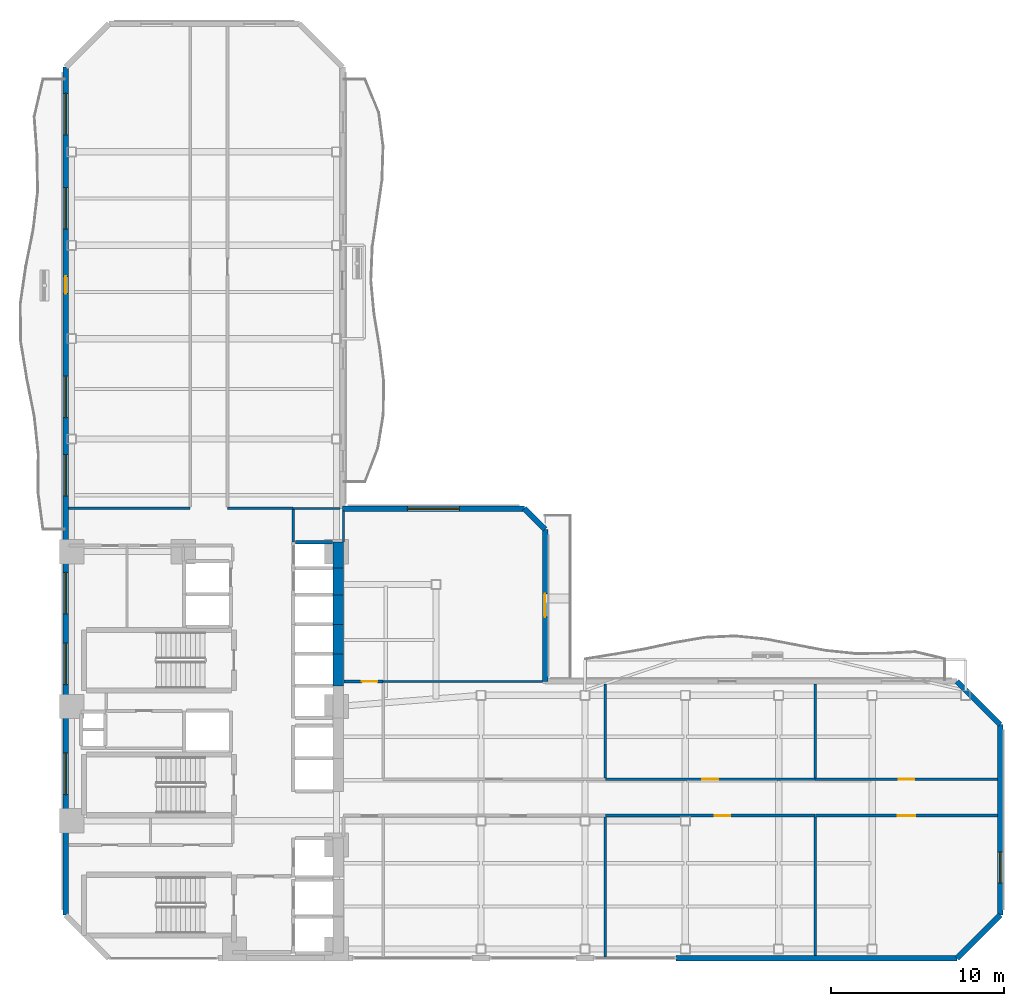
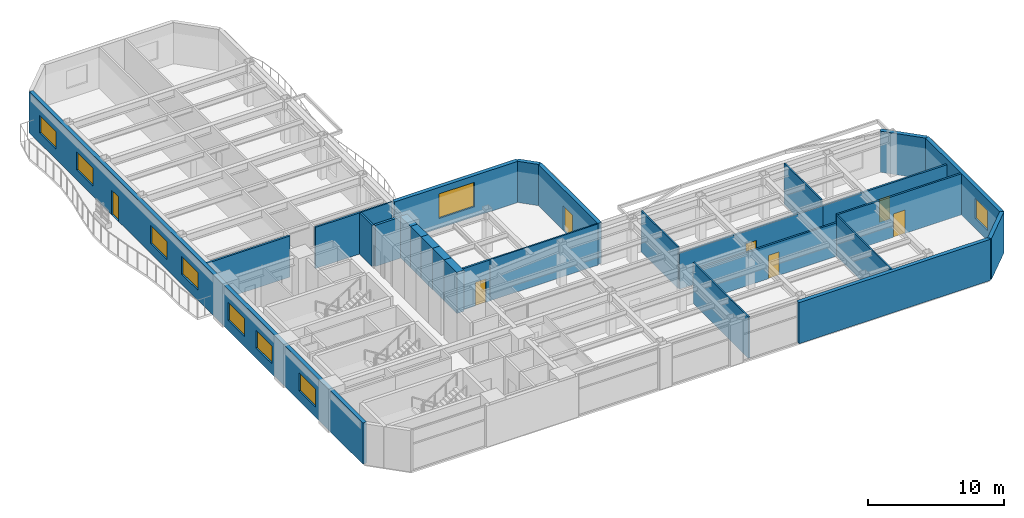
# One storey, part 11 of 17: 29 walls, 9 windows, 7 doors, 16 openings.
"""IFC4 building model written with IfcOpenShell, lengths in metres."""

import ifcopenshell
import ifcopenshell.guid

model = None  # the IFC model being written
_history = None  # IfcOwnerHistory: only IFC2X3 demands one
_inside = {}  # id of a spatial element -> (the spatial element, [elements in it])
_under = {}  # id of a project, library or spatial element -> (it, [spatial elements below it])
_declared = {}  # id of a project -> (the project, [libraries it declares])
_typed = {}  # id of a type object -> (the type object, [elements of that type])
_made_of = {}  # id of a material, layer set ... -> (it, [elements and type objects made of it])


def new_model(schema):
    """Start an empty IFC model of exactly this schema.

    Asked for "IFC4X3", IfcOpenShell would pick the latest addendum, in which some entities
    have other attributes; the version numbers below select the first issue.
    IFC2X3 requires an IfcOwnerHistory on every rooted entity: one is made here for all.
    """
    global model, _history
    if schema == "IFC4X3":
        model = ifcopenshell.file(schema_version=(4, 3, 0, 0))
    else:
        model = ifcopenshell.file(schema=schema)
    _inside.clear()
    _under.clear()
    _declared.clear()
    _typed.clear()
    _made_of.clear()
    _history = None
    if model.schema == "IFC2X3":
        org = make("IfcOrganization", Name="unknown")
        user = make(
            "IfcPersonAndOrganization",
            ThePerson=make("IfcPerson", FamilyName="unknown"),
            TheOrganization=org,
        )
        app = make(
            "IfcApplication",
            ApplicationDeveloper=org,
            Version="unknown",
            ApplicationFullName="unknown",
            ApplicationIdentifier="unknown",
        )
        _history = make(
            "IfcOwnerHistory",
            OwningUser=user,
            OwningApplication=app,
            ChangeAction="ADDED",
            CreationDate=0,
        )
    return model


def make(cls, **values):
    """One entity of the class cls with the attributes given. An attribute that is None is left unset."""
    return model.create_entity(
        cls, **{name: value for name, value in values.items() if value is not None}
    )


def rooted(cls, **values):
    """An entity with a GlobalId (a new one), such as an element, a storey or a relation."""
    return make(cls, GlobalId=ifcopenshell.guid.new(), OwnerHistory=_history, **values)


def si_unit(unit_type, name, prefix=None):
    """IfcSIUnit, for example si_unit("LENGTHUNIT", "METRE", prefix="MILLI")."""
    return make("IfcSIUnit", UnitType=unit_type, Prefix=prefix, Name=name)


def assignment(units):
    """IfcUnitAssignment: the units of a project."""
    return None if units is None else make("IfcUnitAssignment", Units=units)


def point(xyz):
    """IfcCartesianPoint."""
    return None if xyz is None else make("IfcCartesianPoint", Coordinates=xyz)


def direction(xyz):
    """IfcDirection."""
    return None if xyz is None else make("IfcDirection", DirectionRatios=xyz)


def frame(location, z_axis=None, x_axis=None):
    """IfcAxis2Placement3D, a coordinate frame: its origin and axes. An axis left out is left unset."""
    return make(
        "IfcAxis2Placement3D",
        Location=point(location),
        Axis=direction(z_axis),
        RefDirection=direction(x_axis),
    )


def frame_2d(location, x_axis=None):
    """IfcAxis2Placement2D, a coordinate frame in the plane: its origin and x axis."""
    return make(
        "IfcAxis2Placement2D", Location=point(location), RefDirection=direction(x_axis)
    )


def origin():
    """The frame at (0, 0, 0) with its axes left unset."""
    return frame((0.0, 0.0, 0.0))


def place(relative_to, where):
    """IfcLocalPlacement: puts the frame where relative to a parent placement (None: the world)."""
    return make(
        "IfcLocalPlacement", PlacementRelTo=relative_to, RelativePlacement=where
    )


def context(
    kind, dimensions, precision=None, world=None, true_north=None, identifier=None
):
    """IfcGeometricRepresentationContext, for example the 3D "Model" context."""
    return make(
        "IfcGeometricRepresentationContext",
        ContextIdentifier=identifier,
        ContextType=kind,
        CoordinateSpaceDimension=dimensions,
        Precision=precision,
        WorldCoordinateSystem=world,
        TrueNorth=true_north,
    )


def subcontext(parent, identifier, kind, view, scale=None):
    """IfcGeometricRepresentationSubContext, for example "Body" below "Model"."""
    return make(
        "IfcGeometricRepresentationSubContext",
        ContextIdentifier=identifier,
        ContextType=kind,
        ParentContext=parent,
        TargetScale=scale,
        TargetView=view,
    )


def project(units=None, contexts=None):
    """IfcProject with its units and contexts."""
    return rooted(
        "IfcProject",
        Name="project",
        RepresentationContexts=contexts,
        UnitsInContext=assignment(units),
    )


def spatial(cls, under=None, at=None, **own):
    """A site, building, storey or space (cls), placed at a placement, below another one or the project."""
    s = rooted(cls, ObjectPlacement=at, **own)
    if under is not None:
        _under.setdefault(under.id(), (under, []))[1].append(s)
    return s


def profile(cls, at=None, kind="AREA", **sizes):
    """A parametric profile (cls). Its sizes go by their IFC names, for example OverallWidth=200.0."""
    return make(cls, ProfileType=kind, Position=at, **sizes)


def rectangle(**sizes):
    """IfcRectangleProfileDef."""
    return profile("IfcRectangleProfileDef", **sizes)


def extrude(swept, where, along, depth):
    """IfcExtrudedAreaSolid: the profile swept, set in the frame where, extruded along a direction by depth."""
    return make(
        "IfcExtrudedAreaSolid",
        SweptArea=swept,
        Position=where,
        ExtrudedDirection=direction(along),
        Depth=depth,
    )


def shape(context_of_items, identifier, shape_type, items):
    """IfcShapeRepresentation: the items that make up one representation, for example the "Body"."""
    return make(
        "IfcShapeRepresentation",
        ContextOfItems=context_of_items,
        RepresentationIdentifier=identifier,
        RepresentationType=shape_type,
        Items=items,
    )


def material(Name=None, Category=None):
    """IfcMaterial."""
    return make("IfcMaterial", Name=Name, Category=Category)


def layer(
    of_material, thickness, ventilated=None, Name=None, Category=None, Priority=None
):
    """IfcMaterialLayer: one layer of a wall or slab, of a material (None: an air gap)."""
    return make(
        "IfcMaterialLayer",
        Material=of_material,
        LayerThickness=thickness,
        IsVentilated=ventilated,
        Name=Name,
        Category=Category,
        Priority=Priority,
    )


def layer_set(layers, Name=None):
    """IfcMaterialLayerSet."""
    return make("IfcMaterialLayerSet", MaterialLayers=layers, LayerSetName=Name)


def made_of(thing, what):
    """Note that an element or type object is made of a material, layer set ...; save() writes the relation."""
    if what is not None:
        _made_of.setdefault(what.id(), (what, []))[1].append(thing)
    return thing


def type_object(cls, material=None, **own):
    """A type object (cls), such as IfcWallType, which elements share."""
    return made_of(rooted(cls, **own), material)


def element(
    cls,
    number,
    at=None,
    inside=None,
    cuts=None,
    type_object=None,
    material=None,
    context=None,
    identifier="Body",
    shape_type=None,
    held_by="IfcProductDefinitionShape",
    body=None,
    shapes=None,
    **own,
):
    """One element of the class cls, such as IfcWall. Its Tag is "e" and its number.

    at: its placement. inside: the storey or other place that contains it. cuts: it is an
    opening in that element (IfcRelVoidsElement). A single representation is given by context,
    identifier, shape_type and body (its items); several are given by shapes. held_by: the class
    of the entity that holds the representations. save() writes the other relations.
    """
    e = rooted(cls, Tag="e%d" % number, ObjectPlacement=at, **own)
    if body is not None:
        shapes = [shape(context, identifier, shape_type, body)]
    if shapes is not None:
        e.Representation = make(held_by, Representations=shapes)
    if inside is not None:
        _inside.setdefault(inside.id(), (inside, []))[1].append(e)
    if cuts is not None:
        rooted(
            "IfcRelVoidsElement", RelatingBuildingElement=cuts, RelatedOpeningElement=e
        )
    if type_object is not None:
        _typed.setdefault(type_object.id(), (type_object, []))[1].append(e)
    return made_of(e, material)


def fill(opening, filler):
    """IfcRelFillsElement: the door or window that sits in an opening."""
    return rooted(
        "IfcRelFillsElement",
        RelatingOpeningElement=opening,
        RelatedBuildingElement=filler,
    )


def aggregate(whole, parts):
    """IfcRelAggregates: a whole, such as a stair, and the parts it consists of."""
    return rooted("IfcRelAggregates", RelatingObject=whole, RelatedObjects=parts)


def save(model, path):
    """Write the relations noted so far, then the file.

    IfcRelAggregates (storeys below a building ...), IfcRelContainedInSpatialStructure (elements
    in a storey), IfcRelDefinesByType, IfcRelAssociatesMaterial and IfcRelDeclares: one each for
    every whole, place, type object, material and project.
    """
    for whole, parts in _under.values():
        aggregate(whole, parts)
    for where, things in _inside.values():
        rooted(
            "IfcRelContainedInSpatialStructure",
            RelatedElements=things,
            RelatingStructure=where,
        )
    for kind, things in _typed.values():
        rooted("IfcRelDefinesByType", RelatedObjects=things, RelatingType=kind)
    for what, things in _made_of.values():
        rooted("IfcRelAssociatesMaterial", RelatedObjects=things, RelatingMaterial=what)
    for by, libraries in _declared.values():
        rooted("IfcRelDeclares", RelatingContext=by, RelatedDefinitions=libraries)
    model.write(path)


model = new_model("IFC4")

# Units and contexts
model_context = context("Model", 3, precision=1e-05, world=origin(), true_north=direction((0.0, 1.0)))
body_context = subcontext(model_context, "Body", "Model", "MODEL_VIEW")
ifc_project = project(units=[si_unit("LENGTHUNIT", "METRE"), si_unit("AREAUNIT", "SQUARE_METRE"), si_unit("VOLUMEUNIT", "CUBIC_METRE"), si_unit("PLANEANGLEUNIT", "RADIAN"), si_unit("MASSUNIT", "GRAM", prefix="KILO")], contexts=[model_context])

# Site, building, storey
site_placement = place(None, origin())
site = spatial("IfcSite", under=ifc_project, at=site_placement, CompositionType="ELEMENT")
building_placement = place(site_placement, origin())
building = spatial("IfcBuilding", under=site, at=building_placement, Name="Mawjaban Terraces University", CompositionType="ELEMENT")
storey_placement = place(building_placement, frame((0.0, 0.0, 70.0)))
storey = spatial("IfcBuildingStorey", under=building, at=storey_placement, Name="L16", CompositionType="ELEMENT", Elevation=70.0)

# Walls
ifc_material_1 = material(Name="Concrete C70/85", Category="concrete")
ifc_layer_1 = layer(ifc_material_1, 0.60009765625)
ifc_layer_set_1 = layer_set([ifc_layer_1], Name="Concrete C70/85")
wall_type_1 = type_object("IfcWallType", Name="CoreShearWall_600", PredefinedType="SHEAR", material=ifc_layer_set_1)
wall_1_placement = place(storey_placement, frame((37.75, 15.75, 0.0), z_axis=(0.0, 0.0, 1.0), x_axis=(0.0, 1.0, 0.0)))
element("IfcWall", 1, at=wall_1_placement, inside=storey, type_object=wall_type_1, Name="L16 Lift OL-2 Hoistway Wall East", PredefinedType="SHEAR", context=body_context, shape_type="SweptSolid", body=[
    extrude(rectangle(XDim=1.85009765625, YDim=0.60009765625, at=frame_2d((0.925048828125, 0.0))), origin(), (0.0, 0.0, 1.0), 3.68994140625),
])
for number, where, z_axis, x_axis, name in (
    (2, (37.75, 17.60009765625, 0.0), (0.0, 0.0, 1.0), (0.0, 1.0, 0.0), "L16 Lift PL-M1 Hoistway Wall East"),
    (3, (37.75, 19.300048828125, 0.0), (0.0, 0.0, 1.0), (0.0, 1.0, 0.0), "L16 Lift PL-M2 Hoistway Wall East"),
):
    element("IfcWall", number, at=place(storey_placement, frame(where, z_axis=z_axis, x_axis=x_axis)), inside=storey, type_object=wall_type_1, Name=name, PredefinedType="SHEAR", context=body_context, shape_type="SweptSolid", body=[
        extrude(rectangle(XDim=1.699951171875, YDim=0.60009765625, at=frame_2d((0.85009765625, 0.0))), origin(), (0.0, 0.0, 1.0), 3.68994140625),
    ])
wall_2_placement = place(storey_placement, frame((37.75, 21.0, 0.0), z_axis=(0.0, 0.0, 1.0), x_axis=(0.0, 1.0, 0.0)))
element("IfcWall", 4, at=wall_2_placement, inside=storey, type_object=wall_type_1, Name="L16 Lift PL-L1 Hoistway Wall East", PredefinedType="SHEAR", context=body_context, shape_type="SweptSolid", body=[
    extrude(rectangle(XDim=1.550048828125, YDim=0.60009765625, at=frame_2d((0.77490234375, 0.0))), origin(), (0.0, 0.0, 1.0), 3.68994140625),
])
wall_3_placement = place(storey_placement, frame((37.75, 22.550048828125, 0.0), z_axis=(0.0, 0.0, 1.0), x_axis=(0.0, 1.0, 0.0)))
element("IfcWall", 5, at=wall_3_placement, inside=storey, type_object=wall_type_1, Name="L16 Lift PL-L2 Hoistway Wall East", PredefinedType="SHEAR", context=body_context, shape_type="SweptSolid", body=[
    extrude(rectangle(XDim=1.5, YDim=0.60009765625, at=frame_2d((0.75, 0.0))), origin(), (0.0, 0.0, 1.0), 3.68994140625),
])
ifc_material_2 = material(Name="Fire-rated gypsum board on steel stud", Category="steel")
ifc_layer_2 = layer(ifc_material_2, 0.159912109375)
ifc_layer_set_2 = layer_set([ifc_layer_2], Name="Fire-rated gypsum board on steel stud")
wall_type_2 = type_object("IfcWallType", Name="CorridorPartition_160", PredefinedType="PARTITIONING", material=ifc_layer_set_2)
wall_4_placement = place(storey_placement, frame((29.199951171875, 26.0, 0.0), z_axis=(0.0, 0.0, 1.0), x_axis=(-1.0, 0.0, 0.0)))
element("IfcWall", 6, at=wall_4_placement, inside=storey, type_object=wall_type_2, Name="L16 North Core Cross-Corridor Partition 7", PredefinedType="PARTITIONING", context=body_context, shape_type="SweptSolid", body=[
    extrude(rectangle(XDim=7.044921875, YDim=0.159912109375, at=frame_2d((3.5224609375, 0.0))), origin(), (0.0, 0.0, 1.0), 3.68994140625),
])
wall_5_placement = place(storey_placement, frame((35.14990234375, 26.0, 0.0), z_axis=(0.0, 0.0, 1.0), x_axis=(-1.0, 0.0, 0.0)))
element("IfcWall", 7, at=wall_5_placement, inside=storey, type_object=wall_type_2, Name="L16 North Core Cross-Corridor Partition 11", PredefinedType="PARTITIONING", context=body_context, shape_type="SweptSolid", body=[
    extrude(rectangle(XDim=3.7998046875, YDim=0.159912109375, at=frame_2d((1.89990234375, 0.0))), origin(), (0.0, 0.0, 1.0), 3.68994140625),
])

# Wall, opening, door
wall_6_placement = place(storey_placement, frame((40.35009765625, 16.0, 0.0), z_axis=(0.0, 0.0, 1.0), x_axis=(-1.0, 0.0, 0.0)))
wall_6 = element("IfcWall", 8, at=wall_6_placement, inside=storey, type_object=wall_type_2, Name="L16 East Academic Corridor Vestibule Partition 16", PredefinedType="PARTITIONING", context=body_context, shape_type="SweptSolid", body=[
    extrude(rectangle(XDim=2.27001953125, YDim=0.159912109375, at=frame_2d((1.135009765625, 0.0))), origin(), (0.0, 0.0, 1.0), 3.68994140625),
])
opening_1_placement = place(wall_6_placement, frame((0.3349609375, 0.0, 0.0)))
opening_1 = element("IfcOpeningElement", 9, at=opening_1_placement, cuts=wall_6, Name="Opening ID-090", PredefinedType="OPENING", context=body_context, shape_type="SweptSolid", body=[
    extrude(rectangle(XDim=0.89990234375, YDim=2.10009765625, at=frame_2d((0.449951171875, 1.050048828125))), frame((0.0, 0.08984375, 0.0), z_axis=(0.0, -1.0, 0.0), x_axis=(1.0, 0.0, 0.0)), (0.0, 0.0, 1.0), 0.179931640625),
])
ifc_material_3 = material(Name="Powder-coated steel frame and solid acoustic timber leaf", Category="steel")
door_type_1 = type_object("IfcDoorType", Name="OfficeDoor_900x2100", OperationType="NOTDEFINED", PredefinedType="DOOR", material=ifc_material_3)
door_1_placement = place(opening_1_placement, origin())
door_1 = element("IfcDoor", 10, at=door_1_placement, inside=storey, type_object=door_type_1, Name="L16 Terrace Collaborative Study Room Door", OperationType="SINGLE_SWING_LEFT", OverallHeight=2.10009765625, OverallWidth=0.89990234375, PredefinedType="DOOR", context=body_context, shape_type="SweptSolid", body=[
    extrude(rectangle(XDim=0.89990234375, YDim=2.10009765625, at=frame_2d((0.449951171875, 1.050048828125))), frame((0.0, 0.02490234375, 0.0), z_axis=(0.0, -1.0, 0.0), x_axis=(1.0, 0.0, 0.0)), (0.0, 0.0, 1.0), 0.050048828125),
])
fill(opening_1, door_1)

wall_7_placement = place(storey_placement, frame((53.179931640625, 8.25, 0.0), z_axis=(0.0, 0.0, 1.0), x_axis=(1.0, 0.0, 0.0)))
wall_7 = element("IfcWall", 11, at=wall_7_placement, inside=storey, type_object=wall_type_2, Name="L16 East Academic Spine Corridor Partition 17", PredefinedType="PARTITIONING", context=body_context, shape_type="SweptSolid", body=[
    extrude(rectangle(XDim=12.130126953125, YDim=0.159912109375, at=frame_2d((6.06494140625, 0.0))), origin(), (0.0, 0.0, 1.0), 2.9951171875),
])
opening_2_placement = place(wall_7_placement, frame((6.31494140625, 0.0, 0.0)))
opening_2 = element("IfcOpeningElement", 12, at=opening_2_placement, cuts=wall_7, Name="Opening ID-090", PredefinedType="OPENING", context=body_context, shape_type="SweptSolid", body=[
    extrude(rectangle(XDim=0.89990234375, YDim=2.10009765625, at=frame_2d((0.449951171875, 1.050048828125))), frame((0.0, 0.08984375, 0.0), z_axis=(0.0, -1.0, 0.0), x_axis=(1.0, 0.0, 0.0)), (0.0, 0.0, 1.0), 0.179931640625),
])
door_2_placement = place(opening_2_placement, origin())
door_2 = element("IfcDoor", 13, at=door_2_placement, inside=storey, type_object=door_type_1, Name="L16 Graduate Study Lounge 4 Door", OperationType="SINGLE_SWING_LEFT", OverallHeight=2.10009765625, OverallWidth=0.89990234375, PredefinedType="DOOR", context=body_context, shape_type="SweptSolid", body=[
    extrude(rectangle(XDim=0.89990234375, YDim=2.10009765625, at=frame_2d((0.449951171875, 1.050048828125))), frame((0.0, 0.02490234375, 0.0), z_axis=(0.0, -1.0, 0.0), x_axis=(1.0, 0.0, 0.0)), (0.0, 0.0, 1.0), 0.050048828125),
])
fill(opening_2, door_2)

wall_8_placement = place(storey_placement, frame((65.31005859375, 8.25, 0.0), z_axis=(0.0, 0.0, 1.0), x_axis=(1.0, 0.0, 0.0)))
wall_8 = element("IfcWall", 14, at=wall_8_placement, inside=storey, type_object=wall_type_2, Name="L16 East Academic Spine Corridor Partition 19", PredefinedType="PARTITIONING", context=body_context, shape_type="SweptSolid", body=[
    extrude(rectangle(XDim=10.534912109375, YDim=0.159912109375, at=frame_2d((5.267578125, 0.0))), origin(), (0.0, 0.0, 1.0), 3.68994140625),
])
opening_3_placement = place(wall_8_placement, frame((4.76708984375, 0.0, 0.0)))
opening_3 = element("IfcOpeningElement", 15, at=opening_3_placement, cuts=wall_8, Name="Opening ID-100", PredefinedType="OPENING", context=body_context, shape_type="SweptSolid", body=[
    extrude(rectangle(XDim=1.0, YDim=2.10009765625, at=frame_2d((0.5, 1.050048828125))), frame((0.0, 0.08984375, 0.0), z_axis=(0.0, -1.0, 0.0), x_axis=(1.0, 0.0, 0.0)), (0.0, 0.0, 1.0), 0.179931640625),
])
door_type_2 = type_object("IfcDoorType", Name="ClassroomDoor_1000x2100", OperationType="NOTDEFINED", PredefinedType="DOOR", material=ifc_material_3)
door_3_placement = place(opening_3_placement, origin())
door_3 = element("IfcDoor", 16, at=door_3_placement, inside=storey, type_object=door_type_2, Name="L16 Classroom 6 Door", OperationType="SINGLE_SWING_LEFT", OverallHeight=2.10009765625, OverallWidth=1.0, PredefinedType="DOOR", context=body_context, shape_type="SweptSolid", body=[
    extrude(rectangle(XDim=1.0, YDim=2.10009765625, at=frame_2d((0.5, 1.050048828125))), frame((0.0, 0.02490234375, 0.0), z_axis=(0.0, -1.0, 0.0), x_axis=(1.0, 0.0, 0.0)), (0.0, 0.0, 1.0), 0.050048828125),
])
fill(opening_3, door_3)

wall_9_placement = place(storey_placement, frame((65.31005859375, 10.35009765625, 0.0), z_axis=(0.0, 0.0, 1.0), x_axis=(-1.0, 0.0, 0.0)))
wall_9 = element("IfcWall", 17, at=wall_9_placement, inside=storey, type_object=wall_type_2, Name="L16 East Academic Spine Corridor Partition 20", PredefinedType="PARTITIONING", context=body_context, shape_type="SweptSolid", body=[
    extrude(rectangle(XDim=12.130126953125, YDim=0.159912109375, at=frame_2d((6.06494140625, 0.0))), origin(), (0.0, 0.0, 1.0), 3.22705078125),
])
opening_4_placement = place(wall_9_placement, frame((5.614990234375, 0.0, 0.0)))
opening_4 = element("IfcOpeningElement", 18, at=opening_4_placement, cuts=wall_9, Name="Opening ID-090", PredefinedType="OPENING", context=body_context, shape_type="SweptSolid", body=[
    extrude(rectangle(XDim=0.89990234375, YDim=2.10009765625, at=frame_2d((0.449951171875, 1.050048828125))), frame((0.0, 0.08984375, 0.0), z_axis=(0.0, -1.0, 0.0), x_axis=(1.0, 0.0, 0.0)), (0.0, 0.0, 1.0), 0.179931640625),
])
door_4_placement = place(opening_4_placement, origin())
door_4 = element("IfcDoor", 19, at=door_4_placement, inside=storey, type_object=door_type_1, Name="L16 Collaborative Study Room 5 Door", OperationType="SINGLE_SWING_RIGHT", OverallHeight=2.10009765625, OverallWidth=0.89990234375, PredefinedType="DOOR", context=body_context, shape_type="SweptSolid", body=[
    extrude(rectangle(XDim=0.89990234375, YDim=2.10009765625, at=frame_2d((0.449951171875, 1.050048828125))), frame((0.0, 0.02490234375, 0.0), z_axis=(0.0, -1.0, 0.0), x_axis=(1.0, 0.0, 0.0)), (0.0, 0.0, 1.0), 0.050048828125),
])
fill(opening_4, door_4)

wall_10_placement = place(storey_placement, frame((75.844970703125, 10.35009765625, 0.0), z_axis=(0.0, 0.0, 1.0), x_axis=(-1.0, 0.0, 0.0)))
wall_10 = element("IfcWall", 20, at=wall_10_placement, inside=storey, type_object=wall_type_2, Name="L16 East Academic Spine Corridor Partition 21", PredefinedType="PARTITIONING", context=body_context, shape_type="SweptSolid", body=[
    extrude(rectangle(XDim=10.534912109375, YDim=0.159912109375, at=frame_2d((5.267578125, 0.0))), origin(), (0.0, 0.0, 1.0), 3.22705078125),
])
opening_5_placement = place(wall_10_placement, frame((4.81689453125, 0.0, 0.0)))
opening_5 = element("IfcOpeningElement", 21, at=opening_5_placement, cuts=wall_10, Name="Opening ID-090", PredefinedType="OPENING", context=body_context, shape_type="SweptSolid", body=[
    extrude(rectangle(XDim=0.89990234375, YDim=2.10009765625, at=frame_2d((0.449951171875, 1.050048828125))), frame((0.0, 0.08984375, 0.0), z_axis=(0.0, -1.0, 0.0), x_axis=(1.0, 0.0, 0.0)), (0.0, 0.0, 1.0), 0.179931640625),
])
door_5_placement = place(opening_5_placement, origin())
door_5 = element("IfcDoor", 22, at=door_5_placement, inside=storey, type_object=door_type_1, Name="L16 Seminar Room 7 Door", OperationType="SINGLE_SWING_RIGHT", OverallHeight=2.10009765625, OverallWidth=0.89990234375, PredefinedType="DOOR", context=body_context, shape_type="SweptSolid", body=[
    extrude(rectangle(XDim=0.89990234375, YDim=2.10009765625, at=frame_2d((0.449951171875, 1.050048828125))), frame((0.0, 0.02490234375, 0.0), z_axis=(0.0, -1.0, 0.0), x_axis=(1.0, 0.0, 0.0)), (0.0, 0.0, 1.0), 0.050048828125),
])
fill(opening_5, door_5)

# Walls
wall_11_placement = place(storey_placement, frame((35.14990234375, 24.070068359375, 0.0), z_axis=(0.0, 0.0, 1.0), x_axis=(0.0, 1.0, 0.0)))
element("IfcWall", 23, at=wall_11_placement, inside=storey, type_object=wall_type_2, Name="L16 North Core Cross-Corridor Partition 30", PredefinedType="PARTITIONING", context=body_context, shape_type="SweptSolid", body=[
    extrude(rectangle(XDim=1.85498046875, YDim=0.159912109375, at=frame_2d((0.927490234375, 0.0))), origin(), (0.0, 0.0, 1.0), 3.68994140625),
])
ifc_material_4 = material(Name="Insulated terracotta rainscreen on concrete backup C40/50", Category="masonry")
ifc_layer_3 = layer(ifc_material_4, 0.320068359375)
ifc_layer_set_3 = layer_set([ifc_layer_3], Name="Insulated terracotta rainscreen on concrete backup C40/50")
wall_type_3 = type_object("IfcWallType", Name="ExtTerracottaWall_320", PredefinedType="SOLIDWALL", material=ifc_layer_set_3)
wall_12_placement = place(storey_placement, frame((57.27490234375, 0.0, 0.0), z_axis=(0.0, 0.0, 1.0), x_axis=(1.0, 0.0, 0.0)))
element("IfcWall", 24, at=wall_12_placement, inside=storey, type_object=wall_type_3, Name="L16 Exterior Terracotta Pier Wall 1.4", PredefinedType="SOLIDWALL", context=body_context, shape_type="SweptSolid", body=[
    extrude(rectangle(XDim=16.22509765625, YDim=0.320068359375, at=frame_2d((8.112548828125, 0.0))), origin(), (0.0, 0.0, 1.0), 3.68994140625),
])
wall_13_placement = place(storey_placement, frame((73.5, 0.0, 0.0), z_axis=(0.0, 0.0, 1.0), x_axis=(0.707106781187, 0.707106781187, 0.0)))
element("IfcWall", 25, at=wall_13_placement, inside=storey, type_object=wall_type_3, Name="L16 Exterior Terracotta Wall 2", PredefinedType="SOLIDWALL", context=body_context, shape_type="SweptSolid", body=[
    extrude(rectangle(XDim=3.53564453125, YDim=0.320068359375, at=frame_2d((1.767822265625, 0.0))), origin(), (0.0, 0.0, 1.0), 3.68994140625),
])

# Wall, opening, window
wall_14_placement = place(storey_placement, frame((76.0, 2.5, 0.0), z_axis=(0.0, 0.0, 1.0), x_axis=(0.0, 1.0, 0.0)))
wall_14 = element("IfcWall", 26, at=wall_14_placement, inside=storey, type_object=wall_type_3, Name="L16 Exterior Terracotta Wall 3", PredefinedType="SOLIDWALL", context=body_context, shape_type="SweptSolid", body=[
    extrude(rectangle(XDim=11.0, YDim=0.320068359375, at=frame_2d((5.5, 0.0))), origin(), (0.0, 0.0, 1.0), 3.68994140625),
])
opening_6_placement = place(wall_14_placement, frame((1.85009765625, 0.0, 0.89990234375)))
opening_6 = element("IfcOpeningElement", 27, at=opening_6_placement, cuts=wall_14, Name="Opening W-07", PredefinedType="OPENING", context=body_context, shape_type="SweptSolid", body=[
    extrude(rectangle(XDim=1.800048828125, YDim=1.800048828125, at=frame_2d((0.89990234375, 0.89990234375))), frame((0.0, 0.169921875, 0.0), z_axis=(0.0, -1.0, 0.0), x_axis=(1.0, 0.0, 0.0)), (0.0, 0.0, 1.0), 0.340087890625),
])
ifc_material_5 = material(Name="Low-E solar-control double glazing in thermally broken aluminium frame", Category="aluminium")
window_type_1 = type_object("IfcWindowType", Name="Win_1800x1800", PartitioningType="SINGLE_PANEL", PredefinedType="WINDOW", material=ifc_material_5)
window_1_placement = place(opening_6_placement, origin())
window_1 = element("IfcWindow", 28, at=window_1_placement, inside=storey, type_object=window_type_1, Name="L16 Facade Window 3.1", OverallHeight=1.800048828125, OverallWidth=1.800048828125, PartitioningType="SINGLE_PANEL", PredefinedType="WINDOW", context=body_context, shape_type="SweptSolid", body=[
    extrude(rectangle(XDim=1.800048828125, YDim=1.800048828125, at=frame_2d((0.89990234375, 0.89990234375))), frame((0.0, 0.030029296875, 0.0), z_axis=(0.0, -1.0, 0.0), x_axis=(1.0, 0.0, 0.0)), (0.0, 0.0, 1.0), 0.06005859375),
])
fill(opening_6, window_1)

# Wall
wall_15_placement = place(storey_placement, frame((76.0, 13.5, 0.0), z_axis=(0.0, 0.0, 1.0), x_axis=(-0.707106781187, 0.707106781187, 0.0)))
element("IfcWall", 29, at=wall_15_placement, inside=storey, type_object=wall_type_3, Name="L16 Exterior Terracotta Wall 4", PredefinedType="SOLIDWALL", context=body_context, shape_type="SweptSolid", body=[
    extrude(rectangle(XDim=3.53564453125, YDim=0.320068359375, at=frame_2d((1.767822265625, 0.0))), origin(), (0.0, 0.0, 1.0), 3.68994140625),
])

# Wall, opening, door
wall_16_placement = place(storey_placement, frame((49.699951171875, 16.0, 0.0), z_axis=(0.0, 0.0, 1.0), x_axis=(0.0, 1.0, 0.0)))
wall_16 = element("IfcWall", 30, at=wall_16_placement, inside=storey, type_object=wall_type_3, Name="L16 Exterior Terracotta Wall 6", PredefinedType="SOLIDWALL", context=body_context, shape_type="SweptSolid", body=[
    extrude(rectangle(XDim=8.7900390625, YDim=0.320068359375, at=frame_2d((4.39501953125, 0.0))), origin(), (0.0, 0.0, 1.0), 3.68994140625),
])
opening_7_placement = place(wall_16_placement, frame((3.719970703125, 0.0, 0.0)))
opening_7 = element("IfcOpeningElement", 31, at=opening_7_placement, cuts=wall_16, Name="Opening TD-135", PredefinedType="OPENING", context=body_context, shape_type="SweptSolid", body=[
    extrude(rectangle(XDim=1.35009765625, YDim=2.199951171875, at=frame_2d((0.675048828125, 1.10009765625))), frame((0.0, 0.169921875, 0.0), z_axis=(0.0, -1.0, 0.0), x_axis=(1.0, 0.0, 0.0)), (0.0, 0.0, 1.0), 0.340087890625),
])
ifc_material_6 = material(Name="Thermally broken anodised aluminium and laminated safety glass", Category="aluminium")
door_type_3 = type_object("IfcDoorType", Name="TerraceGlazedDoor_1350x2200", OperationType="NOTDEFINED", PredefinedType="DOOR", material=ifc_material_6)
door_6_placement = place(opening_7_placement, origin())
door_6 = element("IfcDoor", 32, at=door_6_placement, inside=storey, type_object=door_type_3, Name="L16 Terrace Access Door TER-L16-CLIMB", OperationType="SINGLE_SWING_RIGHT", OverallHeight=2.199951171875, OverallWidth=1.35009765625, PredefinedType="DOOR", context=body_context, shape_type="SweptSolid", body=[
    extrude(rectangle(XDim=1.35009765625, YDim=2.199951171875, at=frame_2d((0.675048828125, 1.10009765625))), frame((0.0, 0.02490234375, 0.0), z_axis=(0.0, -1.0, 0.0), x_axis=(1.0, 0.0, 0.0)), (0.0, 0.0, 1.0), 0.050048828125),
])
fill(opening_7, door_6)

# Wall
wall_17_placement = place(storey_placement, frame((49.699951171875, 24.7900390625, 0.0), z_axis=(0.0, 0.0, 1.0), x_axis=(-0.707106781187, 0.707106781187, 0.0)))
element("IfcWall", 33, at=wall_17_placement, inside=storey, type_object=wall_type_3, Name="L16 Exterior Terracotta Wall 7", PredefinedType="SOLIDWALL", context=body_context, shape_type="SweptSolid", body=[
    extrude(rectangle(XDim=1.697021484375, YDim=0.320068359375, at=frame_2d((0.8486328125, 0.0))), origin(), (0.0, 0.0, 1.0), 3.68994140625),
])

# Wall, opening, window
wall_18_placement = place(storey_placement, frame((48.5, 25.989990234375, 0.0), z_axis=(0.0, 0.0, 1.0), x_axis=(-1.0, 0.0, 0.0)))
wall_18 = element("IfcWall", 34, at=wall_18_placement, inside=storey, type_object=wall_type_3, Name="L16 Exterior Terracotta Wall 8", PredefinedType="SOLIDWALL", context=body_context, shape_type="SweptSolid", body=[
    extrude(rectangle(XDim=10.5, YDim=0.320068359375, at=frame_2d((5.25, 0.0))), origin(), (0.0, 0.0, 1.0), 3.68994140625),
])
opening_8_placement = place(wall_18_placement, frame((3.75, 0.0, 0.89990234375)))
opening_8 = element("IfcOpeningElement", 35, at=opening_8_placement, cuts=wall_18, Name="Opening W-12", PredefinedType="OPENING", context=body_context, shape_type="SweptSolid", body=[
    extrude(rectangle(XDim=3.0, YDim=2.199951171875, at=frame_2d((1.5, 1.10009765625))), frame((0.0, 0.169921875, 0.0), z_axis=(0.0, -1.0, 0.0), x_axis=(1.0, 0.0, 0.0)), (0.0, 0.0, 1.0), 0.340087890625),
])
window_type_2 = type_object("IfcWindowType", Name="Win_3000x2200", PartitioningType="SINGLE_PANEL", PredefinedType="WINDOW", material=ifc_material_5)
window_2_placement = place(opening_8_placement, origin())
window_2 = element("IfcWindow", 36, at=window_2_placement, inside=storey, type_object=window_type_2, Name="L16 Facade Window 8.1", OverallHeight=2.199951171875, OverallWidth=3.0, PartitioningType="SINGLE_PANEL", PredefinedType="WINDOW", context=body_context, shape_type="SweptSolid", body=[
    extrude(rectangle(XDim=3.0, YDim=2.199951171875, at=frame_2d((1.5, 1.10009765625))), frame((0.0, 0.030029296875, 0.0), z_axis=(0.0, -1.0, 0.0), x_axis=(1.0, 0.0, 0.0)), (0.0, 0.0, 1.0), 0.06005859375),
])
fill(opening_8, window_2)

# Wall, openings, door, windows
wall_19_placement = place(storey_placement, frame((22.0, 51.5, 0.0), z_axis=(0.0, 0.0, 1.0), x_axis=(0.0, -1.0, 0.0)))
wall_19 = element("IfcWall", 37, at=wall_19_placement, inside=storey, type_object=wall_type_3, Name="L16 Exterior Terracotta Wall 13", PredefinedType="SOLIDWALL", context=body_context, shape_type="SweptSolid", body=[
    extrude(rectangle(XDim=49.0, YDim=0.320068359375, at=frame_2d((24.5, 0.0))), origin(), (0.0, 0.0, 1.0), 3.68994140625),
])
opening_9_placement = place(wall_19_placement, frame((12.10009765625, 0.0, 0.0)))
opening_9 = element("IfcOpeningElement", 38, at=opening_9_placement, cuts=wall_19, Name="Opening BD-100", PredefinedType="OPENING", context=body_context, shape_type="SweptSolid", body=[
    extrude(rectangle(XDim=1.0, YDim=2.199951171875, at=frame_2d((0.5, 1.10009765625))), frame((0.0, 0.169921875, 0.0), z_axis=(0.0, -1.0, 0.0), x_axis=(1.0, 0.0, 0.0)), (0.0, 0.0, 1.0), 0.340087890625),
])
opening_10_placement = place(wall_19_placement, frame((1.52197265625, 0.0, 0.89990234375)))
opening_10 = element("IfcOpeningElement", 39, at=opening_10_placement, cuts=wall_19, Name="Opening W-05", PredefinedType="OPENING", context=body_context, shape_type="SweptSolid", body=[
    extrude(rectangle(XDim=2.39990234375, YDim=1.60009765625, at=frame_2d((1.199951171875, 0.800048828125))), frame((0.0, 0.169921875, 0.0), z_axis=(0.0, -1.0, 0.0), x_axis=(1.0, 0.0, 0.0)), (0.0, 0.0, 1.0), 0.340087890625),
])
opening_11_placement = place(wall_19_placement, frame((6.967041015625, 0.0, 0.89990234375)))
opening_11 = element("IfcOpeningElement", 40, at=opening_11_placement, cuts=wall_19, Name="Opening W-05", PredefinedType="OPENING", context=body_context, shape_type="SweptSolid", body=[
    extrude(rectangle(XDim=2.39990234375, YDim=1.60009765625, at=frame_2d((1.199951171875, 0.800048828125))), frame((0.0, 0.169921875, 0.0), z_axis=(0.0, -1.0, 0.0), x_axis=(1.0, 0.0, 0.0)), (0.0, 0.0, 1.0), 0.340087890625),
])
opening_12_placement = place(wall_19_placement, frame((17.85595703125, 0.0, 0.89990234375)))
opening_12 = element("IfcOpeningElement", 41, at=opening_12_placement, cuts=wall_19, Name="Opening W-05", PredefinedType="OPENING", context=body_context, shape_type="SweptSolid", body=[
    extrude(rectangle(XDim=2.39990234375, YDim=1.60009765625, at=frame_2d((1.199951171875, 0.800048828125))), frame((0.0, 0.169921875, 0.0), z_axis=(0.0, -1.0, 0.0), x_axis=(1.0, 0.0, 0.0)), (0.0, 0.0, 1.0), 0.340087890625),
])
opening_13_placement = place(wall_19_placement, frame((22.39990234375, 0.0, 0.89990234375)))
opening_13 = element("IfcOpeningElement", 42, at=opening_13_placement, cuts=wall_19, Name="Opening W-05", PredefinedType="OPENING", context=body_context, shape_type="SweptSolid", body=[
    extrude(rectangle(XDim=2.39990234375, YDim=1.60009765625, at=frame_2d((1.199951171875, 0.800048828125))), frame((0.0, 0.169921875, 0.0), z_axis=(0.0, -1.0, 0.0), x_axis=(1.0, 0.0, 0.0)), (0.0, 0.0, 1.0), 0.340087890625),
])
opening_14_placement = place(wall_19_placement, frame((29.194091796875, 0.0, 0.89990234375)))
opening_14 = element("IfcOpeningElement", 43, at=opening_14_placement, cuts=wall_19, Name="Opening W-05", PredefinedType="OPENING", context=body_context, shape_type="SweptSolid", body=[
    extrude(rectangle(XDim=2.39990234375, YDim=1.60009765625, at=frame_2d((1.199951171875, 0.800048828125))), frame((0.0, 0.169921875, 0.0), z_axis=(0.0, -1.0, 0.0), x_axis=(1.0, 0.0, 0.0)), (0.0, 0.0, 1.0), 0.340087890625),
])
opening_15_placement = place(wall_19_placement, frame((33.2890625, 0.0, 0.89990234375)))
opening_15 = element("IfcOpeningElement", 44, at=opening_15_placement, cuts=wall_19, Name="Opening W-05", PredefinedType="OPENING", context=body_context, shape_type="SweptSolid", body=[
    extrude(rectangle(XDim=2.39990234375, YDim=1.60009765625, at=frame_2d((1.199951171875, 0.800048828125))), frame((0.0, 0.169921875, 0.0), z_axis=(0.0, -1.0, 0.0), x_axis=(1.0, 0.0, 0.0)), (0.0, 0.0, 1.0), 0.340087890625),
])
opening_16_placement = place(wall_19_placement, frame((39.633056640625, 0.0, 0.89990234375)))
opening_16 = element("IfcOpeningElement", 45, at=opening_16_placement, cuts=wall_19, Name="Opening W-05", PredefinedType="OPENING", context=body_context, shape_type="SweptSolid", body=[
    extrude(rectangle(XDim=2.39990234375, YDim=1.60009765625, at=frame_2d((1.199951171875, 0.800048828125))), frame((0.0, 0.169921875, 0.0), z_axis=(0.0, -1.0, 0.0), x_axis=(1.0, 0.0, 0.0)), (0.0, 0.0, 1.0), 0.340087890625),
])
door_type_4 = type_object("IfcDoorType", Name="BalconyGlazedDoor_1000x2200", OperationType="NOTDEFINED", PredefinedType="DOOR", material=ifc_material_6)
door_7_placement = place(opening_9_placement, origin())
door_7 = element("IfcDoor", 46, at=door_7_placement, inside=storey, type_object=door_type_4, Name="L16 Balcony Access Door west", OperationType="SINGLE_SWING_LEFT", OverallHeight=2.199951171875, OverallWidth=1.0, PredefinedType="DOOR", context=body_context, shape_type="SweptSolid", body=[
    extrude(rectangle(XDim=1.0, YDim=2.199951171875, at=frame_2d((0.5, 1.10009765625))), frame((0.0, 0.02490234375, 0.0), z_axis=(0.0, -1.0, 0.0), x_axis=(1.0, 0.0, 0.0)), (0.0, 0.0, 1.0), 0.050048828125),
])
fill(opening_9, door_7)
window_type_3 = type_object("IfcWindowType", Name="Win_2400x1600", PartitioningType="SINGLE_PANEL", PredefinedType="WINDOW", material=ifc_material_5)
window_3_placement = place(opening_10_placement, origin())
window_3 = element("IfcWindow", 47, at=window_3_placement, inside=storey, type_object=window_type_3, Name="L16 Facade Window 13.1", OverallHeight=1.60009765625, OverallWidth=2.39990234375, PartitioningType="SINGLE_PANEL", PredefinedType="WINDOW", context=body_context, shape_type="SweptSolid", body=[
    extrude(rectangle(XDim=2.39990234375, YDim=1.60009765625, at=frame_2d((1.199951171875, 0.800048828125))), frame((0.0, 0.030029296875, 0.0), z_axis=(0.0, -1.0, 0.0), x_axis=(1.0, 0.0, 0.0)), (0.0, 0.0, 1.0), 0.06005859375),
])
fill(opening_10, window_3)
window_4_placement = place(opening_11_placement, origin())
window_4 = element("IfcWindow", 48, at=window_4_placement, inside=storey, type_object=window_type_3, Name="L16 Facade Window 13.2", OverallHeight=1.60009765625, OverallWidth=2.39990234375, PartitioningType="SINGLE_PANEL", PredefinedType="WINDOW", context=body_context, shape_type="SweptSolid", body=[
    extrude(rectangle(XDim=2.39990234375, YDim=1.60009765625, at=frame_2d((1.199951171875, 0.800048828125))), frame((0.0, 0.030029296875, 0.0), z_axis=(0.0, -1.0, 0.0), x_axis=(1.0, 0.0, 0.0)), (0.0, 0.0, 1.0), 0.06005859375),
])
fill(opening_11, window_4)
window_5_placement = place(opening_12_placement, origin())
window_5 = element("IfcWindow", 49, at=window_5_placement, inside=storey, type_object=window_type_3, Name="L16 Facade Window 13.4", OverallHeight=1.60009765625, OverallWidth=2.39990234375, PartitioningType="SINGLE_PANEL", PredefinedType="WINDOW", context=body_context, shape_type="SweptSolid", body=[
    extrude(rectangle(XDim=2.39990234375, YDim=1.60009765625, at=frame_2d((1.199951171875, 0.800048828125))), frame((0.0, 0.030029296875, 0.0), z_axis=(0.0, -1.0, 0.0), x_axis=(1.0, 0.0, 0.0)), (0.0, 0.0, 1.0), 0.06005859375),
])
fill(opening_12, window_5)
window_6_placement = place(opening_13_placement, origin())
window_6 = element("IfcWindow", 50, at=window_6_placement, inside=storey, type_object=window_type_3, Name="L16 Facade Window 13.5", OverallHeight=1.60009765625, OverallWidth=2.39990234375, PartitioningType="SINGLE_PANEL", PredefinedType="WINDOW", context=body_context, shape_type="SweptSolid", body=[
    extrude(rectangle(XDim=2.39990234375, YDim=1.60009765625, at=frame_2d((1.199951171875, 0.800048828125))), frame((0.0, 0.030029296875, 0.0), z_axis=(0.0, -1.0, 0.0), x_axis=(1.0, 0.0, 0.0)), (0.0, 0.0, 1.0), 0.06005859375),
])
fill(opening_13, window_6)
window_7_placement = place(opening_14_placement, origin())
window_7 = element("IfcWindow", 51, at=window_7_placement, inside=storey, type_object=window_type_3, Name="L16 Facade Window 13.6", OverallHeight=1.60009765625, OverallWidth=2.39990234375, PartitioningType="SINGLE_PANEL", PredefinedType="WINDOW", context=body_context, shape_type="SweptSolid", body=[
    extrude(rectangle(XDim=2.39990234375, YDim=1.60009765625, at=frame_2d((1.199951171875, 0.800048828125))), frame((0.0, 0.030029296875, 0.0), z_axis=(0.0, -1.0, 0.0), x_axis=(1.0, 0.0, 0.0)), (0.0, 0.0, 1.0), 0.06005859375),
])
fill(opening_14, window_7)
window_8_placement = place(opening_15_placement, origin())
window_8 = element("IfcWindow", 52, at=window_8_placement, inside=storey, type_object=window_type_3, Name="L16 Facade Window 13.7", OverallHeight=1.60009765625, OverallWidth=2.39990234375, PartitioningType="SINGLE_PANEL", PredefinedType="WINDOW", context=body_context, shape_type="SweptSolid", body=[
    extrude(rectangle(XDim=2.39990234375, YDim=1.60009765625, at=frame_2d((1.199951171875, 0.800048828125))), frame((0.0, 0.030029296875, 0.0), z_axis=(0.0, -1.0, 0.0), x_axis=(1.0, 0.0, 0.0)), (0.0, 0.0, 1.0), 0.06005859375),
])
fill(opening_15, window_8)
window_9_placement = place(opening_16_placement, origin())
window_9 = element("IfcWindow", 53, at=window_9_placement, inside=storey, type_object=window_type_3, Name="L16 Facade Window 13.8", OverallHeight=1.60009765625, OverallWidth=2.39990234375, PartitioningType="SINGLE_PANEL", PredefinedType="WINDOW", context=body_context, shape_type="SweptSolid", body=[
    extrude(rectangle(XDim=2.39990234375, YDim=1.60009765625, at=frame_2d((1.199951171875, 0.800048828125))), frame((0.0, 0.030029296875, 0.0), z_axis=(0.0, -1.0, 0.0), x_axis=(1.0, 0.0, 0.0)), (0.0, 0.0, 1.0), 0.06005859375),
])
fill(opening_16, window_9)

# Walls
ifc_material_7 = material(Name="Concrete C40/50", Category="concrete")
ifc_layer_4 = layer(ifc_material_7, 0.199951171875)
ifc_layer_set_4 = layer_set([ifc_layer_4], Name="Concrete C40/50")
wall_type_4 = type_object("IfcWallType", Name="FireLobbyWall_200", PredefinedType="SOLIDWALL", material=ifc_layer_set_4)
wall_20_placement = place(storey_placement, frame((37.419921875, 24.050048828125, 0.0), z_axis=(0.0, 0.0, 1.0), x_axis=(-1.0, 0.0, 0.0)))
element("IfcWall", 54, at=wall_20_placement, inside=storey, type_object=wall_type_4, Name="L16 Lift PL-L2 Hoistway Wall North", PredefinedType="SOLIDWALL", context=body_context, shape_type="SweptSolid", body=[
    extrude(rectangle(XDim=2.139892578125, YDim=0.199951171875, at=frame_2d((1.06982421875, 0.0))), origin(), (0.0, 0.0, 1.0), 3.68994140625),
])
ifc_material_8 = material(Name="Gypsum plasterboard on steel stud", Category="steel")
ifc_layer_5 = layer(ifc_material_8, 0.125)
ifc_layer_set_5 = layer_set([ifc_layer_5], Name="Gypsum plasterboard on steel stud")
wall_type_5 = type_object("IfcWallType", Name="OfficePartition_125", PredefinedType="PARTITIONING", material=ifc_layer_set_5)
wall_21_placement = place(storey_placement, frame((35.14990234375, 26.0, 0.0), z_axis=(0.0, 0.0, 1.0), x_axis=(1.0, 0.0, 0.0)))
element("IfcWall", 55, at=wall_21_placement, inside=storey, type_object=wall_type_5, Name="L16 Collaborative Study Room 9 Partition 12", PredefinedType="PARTITIONING", context=body_context, shape_type="SweptSolid", body=[
    extrude(rectangle(XDim=2.695068359375, YDim=0.125, at=frame_2d((1.34765625, 0.0))), origin(), (0.0, 0.0, 1.0), 3.68994140625),
])
wall_22_placement = place(storey_placement, frame((40.35009765625, 16.0, 0.0), z_axis=(0.0, 0.0, 1.0), x_axis=(1.0, 0.0, 0.0)))
element("IfcWall", 56, at=wall_22_placement, inside=storey, type_object=wall_type_5, Name="L16 Terrace Collaborative Study Room Partition 15", PredefinedType="PARTITIONING", context=body_context, shape_type="SweptSolid", body=[
    extrude(rectangle(XDim=9.19482421875, YDim=0.125, at=frame_2d((4.597412109375, 0.0))), origin(), (0.0, 0.0, 1.0), 3.68994140625),
])
wall_23_placement = place(storey_placement, frame((38.050048828125, 25.8349609375, 0.0), z_axis=(0.0, 0.0, 1.0), x_axis=(0.0, -1.0, 0.0)))
element("IfcWall", 57, at=wall_23_placement, inside=storey, type_object=wall_type_5, Name="L16 Terrace Collaborative Study Room Partition 32", PredefinedType="PARTITIONING", context=body_context, shape_type="SweptSolid", body=[
    extrude(rectangle(XDim=1.784912109375, YDim=0.125, at=frame_2d((0.892578125, 0.0))), origin(), (0.0, 0.0, 1.0), 2.9951171875),
])
wall_24_placement = place(storey_placement, frame((53.179931640625, 0.090087890625, 0.0), z_axis=(0.0, 0.0, 1.0), x_axis=(0.0, 1.0, 0.0)))
element("IfcWall", 58, at=wall_24_placement, inside=storey, type_object=wall_type_5, Name="L16 Graduate Study Lounge 2 Partition 35", PredefinedType="PARTITIONING", context=body_context, shape_type="SweptSolid", body=[
    extrude(rectangle(XDim=8.0849609375, YDim=0.125, at=frame_2d((4.04248046875, 0.0))), origin(), (0.0, 0.0, 1.0), 3.68994140625),
])
wall_25_placement = place(storey_placement, frame((53.179931640625, 10.425048828125, 0.0), z_axis=(0.0, 0.0, 1.0), x_axis=(0.0, 1.0, 0.0)))
element("IfcWall", 59, at=wall_25_placement, inside=storey, type_object=wall_type_5, Name="L16 Collaborative Study Room 3 Partition 36", PredefinedType="PARTITIONING", context=body_context, shape_type="SweptSolid", body=[
    extrude(rectangle(XDim=5.419921875, YDim=0.125, at=frame_2d((2.7099609375, 0.0))), origin(), (0.0, 0.0, 1.0), 3.68994140625),
])
wall_26_placement = place(storey_placement, frame((65.31005859375, 0.155029296875, 0.0), z_axis=(0.0, 0.0, 1.0), x_axis=(0.0, 1.0, 0.0)))
element("IfcWall", 60, at=wall_26_placement, inside=storey, type_object=wall_type_5, Name="L16 Graduate Study Lounge 4 Partition 37", PredefinedType="PARTITIONING", context=body_context, shape_type="SweptSolid", body=[
    extrude(rectangle(XDim=8.02001953125, YDim=0.125, at=frame_2d((4.010009765625, 0.0))), origin(), (0.0, 0.0, 1.0), 3.68994140625),
])
wall_27_placement = place(storey_placement, frame((65.31005859375, 10.425048828125, 0.0), z_axis=(0.0, 0.0, 1.0), x_axis=(0.0, 1.0, 0.0)))
element("IfcWall", 61, at=wall_27_placement, inside=storey, type_object=wall_type_5, Name="L16 Collaborative Study Room 5 Partition 38", PredefinedType="PARTITIONING", context=body_context, shape_type="SweptSolid", body=[
    extrude(rectangle(XDim=5.419921875, YDim=0.125, at=frame_2d((2.7099609375, 0.0))), origin(), (0.0, 0.0, 1.0), 3.68994140625),
])

save(model, "model.ifc")
